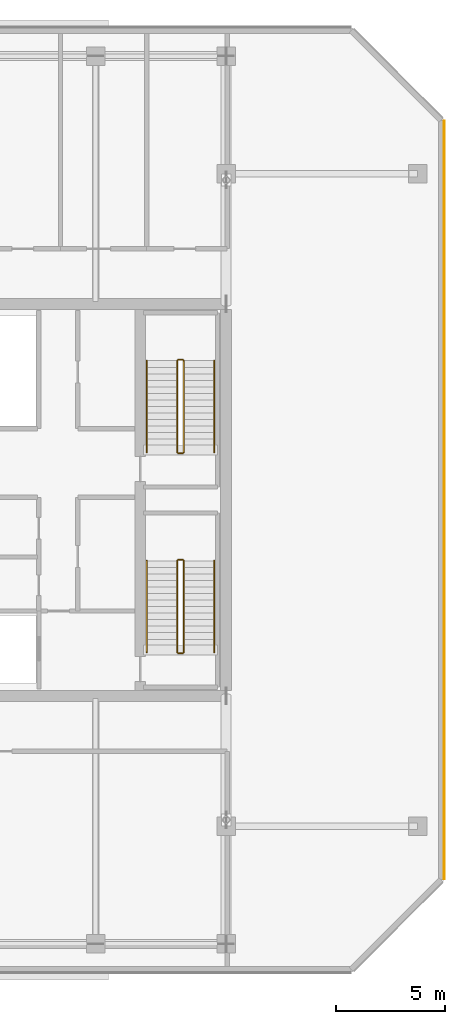
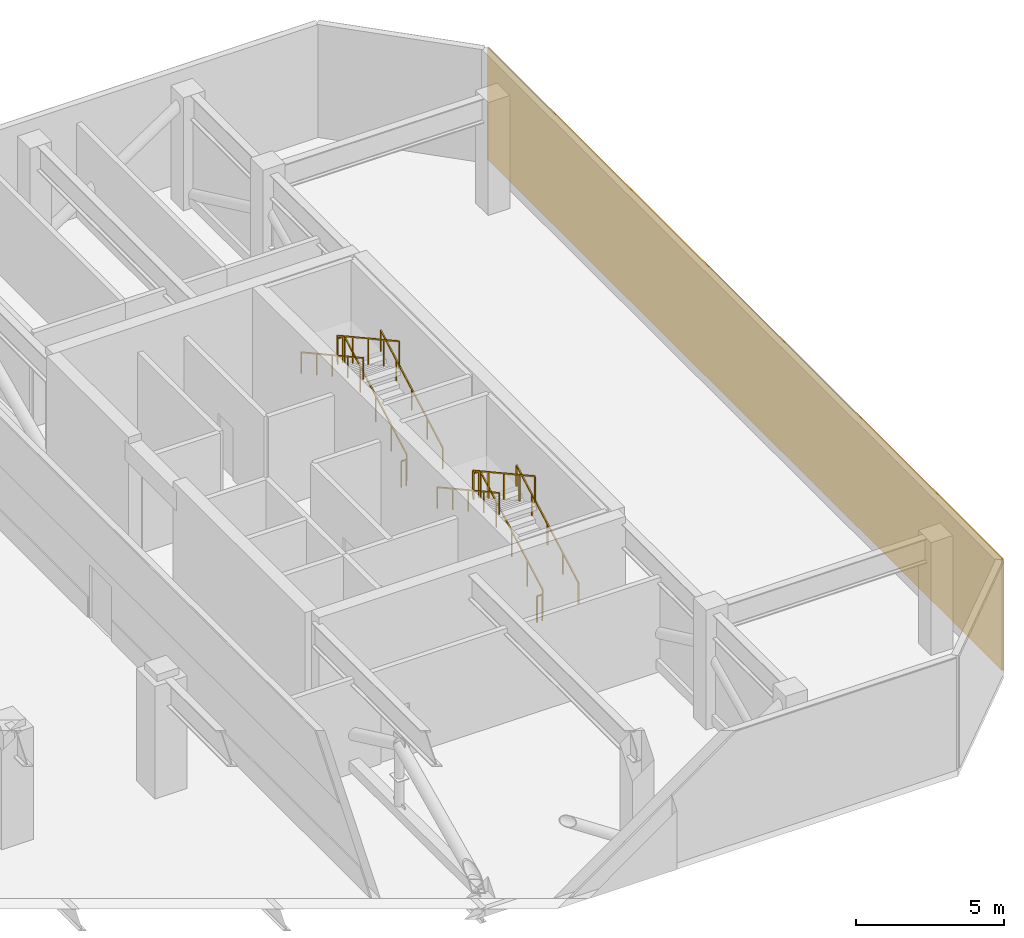
# One storey, part 17 of 18: 12 railings, 1 covering.
"""IFC4 building model written with IfcOpenShell, lengths in metres."""

from ifc_helpers import new_model, si_unit, direction, frame, origin, origin_2d, place, context, subcontext, project, spatial, rectangle, extrude, material, layer, layer_set, type_object, element, save


model = new_model("IFC4")

# Units and contexts
model_context = context("Model", 3, precision=1e-05, world=origin(), true_north=direction((0.0, 1.0)))
body_context = subcontext(model_context, "Body", "Model", "MODEL_VIEW")
ifc_project = project(units=[si_unit("LENGTHUNIT", "METRE"), si_unit("AREAUNIT", "SQUARE_METRE"), si_unit("VOLUMEUNIT", "CUBIC_METRE"), si_unit("PLANEANGLEUNIT", "RADIAN"), si_unit("MASSUNIT", "GRAM", prefix="KILO")], contexts=[model_context])

# Site, building, storey
site_placement = place(None, origin())
site = spatial("IfcSite", under=ifc_project, at=site_placement, CompositionType="ELEMENT")
building_placement = place(site_placement, origin())
building = spatial("IfcBuilding", under=site, at=building_placement, Name="Tanjung Sevakor Pilgrim Tower", CompositionType="ELEMENT")
storey_placement = place(building_placement, frame((0.0, 0.0, 172.919921875)))
storey = spatial("IfcBuildingStorey", under=building, at=storey_placement, Name="L48", CompositionType="ELEMENT", Elevation=172.919921875)

# Covering
ifc_material_1 = material(Name="Reconstructed Limestone Cladding", Category="masonry")
ifc_layer = layer(ifc_material_1, 0.044921875)
ifc_layer_set = layer_set([ifc_layer], Name="COV-CLAD-LIMESTONE")
covering_type = type_object("IfcCoveringType", Name="COV-CLAD-LIMESTONE", PredefinedType="CLADDING", material=ifc_layer_set)
covering_placement = place(storey_placement, frame((100.0224609375, 33.60009765625, 0.02001953125), z_axis=(0.0, 0.0, 1.0), x_axis=(0.0, 1.0, 0.0)))
element("IfcCovering", 1, at=covering_placement, inside=storey, type_object=covering_type, Name="L48 Warm Limestone Wall Cladding EW-RFE-L48-3", PredefinedType="CLADDING", context=body_context, shape_type="SweptSolid", body=[
    extrude(rectangle(XDim=34.8564453125, YDim=0.044921875, at=origin_2d()), origin(), (0.0, 0.0, 1.0), 4.6298828125),
])

# Railings
ifc_material_2 = material(Name="Steel S355J2", Category="steel")
railing_type_1 = type_object("IfcRailingType", Name="RL-STAIR-GUARD", PredefinedType="GUARDRAIL", material=ifc_material_2)
railing_1_placement = place(storey_placement, frame((88.050048828125, 26.60009765625, 0.1650390625)))
element("IfcRailing", 2, at=railing_1_placement, inside=storey, type_object=railing_type_1, Name="L48 TS-E1 stair guard 1", PredefinedType="GUARDRAIL", context=body_context, shape_type="SweptSolid", body=[
    extrude(rectangle(XDim=0.0479, YDim=0.0479), frame((0.0, 0.0, 1.076171875), z_axis=(0.0, 0.876208380975, 0.481932436249), x_axis=(-1.0, 0.0, 0.0)), (0.0, 0.0, 1.0), 4.793212890625),
    extrude(rectangle(XDim=0.042, YDim=0.042), origin(), (0.0, 0.0, 1.0), 1.052001953125),
    extrude(rectangle(XDim=0.042, YDim=0.042), frame((0.0, 1.050048828125, 0.57763671875)), (0.0, 0.0, 1.0), 1.052001953125),
    extrude(rectangle(XDim=0.042, YDim=0.042), frame((0.0, 2.10009765625, 1.155029296875)), (0.0, 0.0, 1.0), 1.052001953125),
    extrude(rectangle(XDim=0.042, YDim=0.042), frame((0.0, 3.14990234375, 1.732421875)), (0.0, 0.0, 1.0), 1.052001953125),
    extrude(rectangle(XDim=0.042, YDim=0.042), frame((0.0, 4.199951171875, 2.31005859375)), (0.0, 0.0, 1.0), 1.052001953125),
])
railing_2_placement = place(storey_placement, frame((88.0, 30.85009765625, 2.47509765625)))
element("IfcRailing", 3, at=railing_2_placement, inside=storey, type_object=railing_type_1, Name="L48 TS-E1 stair guard 2", PredefinedType="GUARDRAIL", context=body_context, shape_type="SweptSolid", body=[
    extrude(rectangle(XDim=0.0479, YDim=0.0479), frame((0.0, 0.0, 1.076171875), z_axis=(-1.0, 0.0, 0.0), x_axis=(0.0, -1.0, 0.0)), (0.0, 0.0, 1.0), 0.199951171875),
    extrude(rectangle(XDim=0.042, YDim=0.042), origin(), (0.0, 0.0, 1.0), 1.052001953125),
    extrude(rectangle(XDim=0.042, YDim=0.042), frame((-0.199951171875, 0.0, 0.0)), (0.0, 0.0, 1.0), 1.052001953125),
])
railing_3_placement = place(storey_placement, frame((87.75, 30.800048828125, 2.64013671875)))
element("IfcRailing", 4, at=railing_3_placement, inside=storey, type_object=railing_type_1, Name="L48 TS-E1 stair guard 3", PredefinedType="GUARDRAIL", context=body_context, shape_type="SweptSolid", body=[
    extrude(rectangle(XDim=0.0479, YDim=0.0479), frame((0.0, 0.0, 1.076171875), z_axis=(0.0, -0.876208380975, 0.481932436249), x_axis=(1.0, 0.0, 0.0)), (0.0, 0.0, 1.0), 4.793212890625),
    extrude(rectangle(XDim=0.042, YDim=0.042), origin(), (0.0, 0.0, 1.0), 1.052001953125),
    extrude(rectangle(XDim=0.042, YDim=0.042), frame((0.0, -1.050048828125, 0.57763671875)), (0.0, 0.0, 1.0), 1.052001953125),
    extrude(rectangle(XDim=0.042, YDim=0.042), frame((0.0, -2.10009765625, 1.155029296875)), (0.0, 0.0, 1.0), 1.052001953125),
    extrude(rectangle(XDim=0.042, YDim=0.042), frame((0.0, -3.14990234375, 1.732421875)), (0.0, 0.0, 1.0), 1.052001953125),
    extrude(rectangle(XDim=0.042, YDim=0.042), frame((0.0, -4.199951171875, 2.31005859375)), (0.0, 0.0, 1.0), 1.052001953125),
])
railing_4_placement = place(storey_placement, frame((88.0, 26.550048828125, 0.0)))
element("IfcRailing", 5, at=railing_4_placement, inside=storey, type_object=railing_type_1, Name="L48 TS-E1 stair guard 4", PredefinedType="GUARDRAIL", context=body_context, shape_type="SweptSolid", body=[
    extrude(rectangle(XDim=0.0479, YDim=0.0479), frame((0.0, 0.0, 1.076171875), z_axis=(-1.0, 0.0, 0.0), x_axis=(0.0, -1.0, 0.0)), (0.0, 0.0, 1.0), 0.199951171875),
    extrude(rectangle(XDim=0.042, YDim=0.042), origin(), (0.0, 0.0, 1.0), 1.052001953125),
    extrude(rectangle(XDim=0.042, YDim=0.042), frame((-0.199951171875, 0.0, 0.0)), (0.0, 0.0, 1.0), 1.052001953125),
])
railing_5_placement = place(storey_placement, frame((88.050048828125, 35.800048828125, 0.1650390625)))
element("IfcRailing", 6, at=railing_5_placement, inside=storey, type_object=railing_type_1, Name="L48 TS-E2 stair guard 1", PredefinedType="GUARDRAIL", context=body_context, shape_type="SweptSolid", body=[
    extrude(rectangle(XDim=0.0479, YDim=0.0479), frame((0.0, 0.0, 1.076171875), z_axis=(0.0, 0.876208380975, 0.481932436249), x_axis=(-1.0, 0.0, 0.0)), (0.0, 0.0, 1.0), 4.793212890625),
    extrude(rectangle(XDim=0.042, YDim=0.042), origin(), (0.0, 0.0, 1.0), 1.052001953125),
    extrude(rectangle(XDim=0.042, YDim=0.042), frame((0.0, 1.050048828125, 0.57763671875)), (0.0, 0.0, 1.0), 1.052001953125),
    extrude(rectangle(XDim=0.042, YDim=0.042), frame((0.0, 2.10009765625, 1.155029296875)), (0.0, 0.0, 1.0), 1.052001953125),
    extrude(rectangle(XDim=0.042, YDim=0.042), frame((0.0, 3.14990234375, 1.732421875)), (0.0, 0.0, 1.0), 1.052001953125),
    extrude(rectangle(XDim=0.042, YDim=0.042), frame((0.0, 4.199951171875, 2.31005859375)), (0.0, 0.0, 1.0), 1.052001953125),
])
railing_6_placement = place(storey_placement, frame((88.0, 40.050048828125, 2.47509765625)))
element("IfcRailing", 7, at=railing_6_placement, inside=storey, type_object=railing_type_1, Name="L48 TS-E2 stair guard 2", PredefinedType="GUARDRAIL", context=body_context, shape_type="SweptSolid", body=[
    extrude(rectangle(XDim=0.0479, YDim=0.0479), frame((0.0, 0.0, 1.076171875), z_axis=(-1.0, 0.0, 0.0), x_axis=(0.0, -1.0, 0.0)), (0.0, 0.0, 1.0), 0.199951171875),
    extrude(rectangle(XDim=0.042, YDim=0.042), origin(), (0.0, 0.0, 1.0), 1.052001953125),
    extrude(rectangle(XDim=0.042, YDim=0.042), frame((-0.199951171875, 0.0, 0.0)), (0.0, 0.0, 1.0), 1.052001953125),
])
railing_7_placement = place(storey_placement, frame((87.75, 40.0, 2.64013671875)))
element("IfcRailing", 8, at=railing_7_placement, inside=storey, type_object=railing_type_1, Name="L48 TS-E2 stair guard 3", PredefinedType="GUARDRAIL", context=body_context, shape_type="SweptSolid", body=[
    extrude(rectangle(XDim=0.0479, YDim=0.0479), frame((0.0, 0.0, 1.076171875), z_axis=(0.0, -0.876208380975, 0.481932436249), x_axis=(1.0, 0.0, 0.0)), (0.0, 0.0, 1.0), 4.793212890625),
    extrude(rectangle(XDim=0.042, YDim=0.042), origin(), (0.0, 0.0, 1.0), 1.052001953125),
    extrude(rectangle(XDim=0.042, YDim=0.042), frame((0.0, -1.050048828125, 0.57763671875)), (0.0, 0.0, 1.0), 1.052001953125),
    extrude(rectangle(XDim=0.042, YDim=0.042), frame((0.0, -2.10009765625, 1.155029296875)), (0.0, 0.0, 1.0), 1.052001953125),
    extrude(rectangle(XDim=0.042, YDim=0.042), frame((0.0, -3.14990234375, 1.732421875)), (0.0, 0.0, 1.0), 1.052001953125),
    extrude(rectangle(XDim=0.042, YDim=0.042), frame((0.0, -4.199951171875, 2.31005859375)), (0.0, 0.0, 1.0), 1.052001953125),
])
railing_8_placement = place(storey_placement, frame((88.0, 35.75, 0.0)))
element("IfcRailing", 9, at=railing_8_placement, inside=storey, type_object=railing_type_1, Name="L48 TS-E2 stair guard 4", PredefinedType="GUARDRAIL", context=body_context, shape_type="SweptSolid", body=[
    extrude(rectangle(XDim=0.0479, YDim=0.0479), frame((0.0, 0.0, 1.076171875), z_axis=(-1.0, 0.0, 0.0), x_axis=(0.0, -1.0, 0.0)), (0.0, 0.0, 1.0), 0.199951171875),
    extrude(rectangle(XDim=0.042, YDim=0.042), origin(), (0.0, 0.0, 1.0), 1.052001953125),
    extrude(rectangle(XDim=0.042, YDim=0.042), frame((-0.199951171875, 0.0, 0.0)), (0.0, 0.0, 1.0), 1.052001953125),
])
ifc_material_3 = material(Name="Steel S355J2", Category="steel")
railing_type_2 = type_object("IfcRailingType", Name="RL-STAIR-HAND", PredefinedType="HANDRAIL", material=ifc_material_3)
railing_9_placement = place(storey_placement, frame((89.449951171875, 26.60009765625, 0.1650390625)))
element("IfcRailing", 10, at=railing_9_placement, inside=storey, type_object=railing_type_2, Name="L48 TS-E1 stair handrail 1", PredefinedType="HANDRAIL", context=body_context, shape_type="SweptSolid", body=[
    extrude(rectangle(XDim=0.0479, YDim=0.0479), frame((0.0, 0.0, 0.8759765625), z_axis=(0.0, 0.876208380975, 0.481932436249), x_axis=(-1.0, 0.0, 0.0)), (0.0, 0.0, 1.0), 4.793212890625),
    extrude(rectangle(XDim=0.042, YDim=0.042), origin(), (0.0, 0.0, 1.0), 0.851806640625),
    extrude(rectangle(XDim=0.042, YDim=0.042), frame((0.0, 1.050048828125, 0.57763671875)), (0.0, 0.0, 1.0), 0.851806640625),
    extrude(rectangle(XDim=0.042, YDim=0.042), frame((0.0, 2.10009765625, 1.155029296875)), (0.0, 0.0, 1.0), 0.851806640625),
    extrude(rectangle(XDim=0.042, YDim=0.042), frame((0.0, 3.14990234375, 1.732421875)), (0.0, 0.0, 1.0), 0.851806640625),
    extrude(rectangle(XDim=0.042, YDim=0.042), frame((0.0, 4.199951171875, 2.31005859375)), (0.0, 0.0, 1.0), 0.851806640625),
])
railing_10_placement = place(storey_placement, frame((86.35009765625, 30.800048828125, 2.64013671875)))
element("IfcRailing", 11, at=railing_10_placement, inside=storey, type_object=railing_type_2, Name="L48 TS-E1 stair handrail 2", PredefinedType="HANDRAIL", context=body_context, shape_type="SweptSolid", body=[
    extrude(rectangle(XDim=0.0479, YDim=0.0479), frame((0.0, 0.0, 0.8759765625), z_axis=(0.0, -0.876208380975, 0.481932436249), x_axis=(1.0, 0.0, 0.0)), (0.0, 0.0, 1.0), 4.793212890625),
    extrude(rectangle(XDim=0.042, YDim=0.042), origin(), (0.0, 0.0, 1.0), 0.851806640625),
    extrude(rectangle(XDim=0.042, YDim=0.042), frame((0.0, -1.050048828125, 0.57763671875)), (0.0, 0.0, 1.0), 0.851806640625),
    extrude(rectangle(XDim=0.042, YDim=0.042), frame((0.0, -2.10009765625, 1.155029296875)), (0.0, 0.0, 1.0), 0.851806640625),
    extrude(rectangle(XDim=0.042, YDim=0.042), frame((0.0, -3.14990234375, 1.732421875)), (0.0, 0.0, 1.0), 0.851806640625),
    extrude(rectangle(XDim=0.042, YDim=0.042), frame((0.0, -4.199951171875, 2.31005859375)), (0.0, 0.0, 1.0), 0.851806640625),
])
railing_11_placement = place(storey_placement, frame((89.449951171875, 35.800048828125, 0.1650390625)))
element("IfcRailing", 12, at=railing_11_placement, inside=storey, type_object=railing_type_2, Name="L48 TS-E2 stair handrail 1", PredefinedType="HANDRAIL", context=body_context, shape_type="SweptSolid", body=[
    extrude(rectangle(XDim=0.0479, YDim=0.0479), frame((0.0, 0.0, 0.8759765625), z_axis=(0.0, 0.876208380975, 0.481932436249), x_axis=(-1.0, 0.0, 0.0)), (0.0, 0.0, 1.0), 4.793212890625),
    extrude(rectangle(XDim=0.042, YDim=0.042), origin(), (0.0, 0.0, 1.0), 0.851806640625),
    extrude(rectangle(XDim=0.042, YDim=0.042), frame((0.0, 1.050048828125, 0.57763671875)), (0.0, 0.0, 1.0), 0.851806640625),
    extrude(rectangle(XDim=0.042, YDim=0.042), frame((0.0, 2.10009765625, 1.155029296875)), (0.0, 0.0, 1.0), 0.851806640625),
    extrude(rectangle(XDim=0.042, YDim=0.042), frame((0.0, 3.14990234375, 1.732421875)), (0.0, 0.0, 1.0), 0.851806640625),
    extrude(rectangle(XDim=0.042, YDim=0.042), frame((0.0, 4.199951171875, 2.31005859375)), (0.0, 0.0, 1.0), 0.851806640625),
])
railing_12_placement = place(storey_placement, frame((86.35009765625, 40.0, 2.64013671875)))
element("IfcRailing", 13, at=railing_12_placement, inside=storey, type_object=railing_type_2, Name="L48 TS-E2 stair handrail 2", PredefinedType="HANDRAIL", context=body_context, shape_type="SweptSolid", body=[
    extrude(rectangle(XDim=0.0479, YDim=0.0479), frame((0.0, 0.0, 0.8759765625), z_axis=(0.0, -0.876208380975, 0.481932436249), x_axis=(1.0, 0.0, 0.0)), (0.0, 0.0, 1.0), 4.793212890625),
    extrude(rectangle(XDim=0.042, YDim=0.042), origin(), (0.0, 0.0, 1.0), 0.851806640625),
    extrude(rectangle(XDim=0.042, YDim=0.042), frame((0.0, -1.050048828125, 0.57763671875)), (0.0, 0.0, 1.0), 0.851806640625),
    extrude(rectangle(XDim=0.042, YDim=0.042), frame((0.0, -2.10009765625, 1.155029296875)), (0.0, 0.0, 1.0), 0.851806640625),
    extrude(rectangle(XDim=0.042, YDim=0.042), frame((0.0, -3.14990234375, 1.732421875)), (0.0, 0.0, 1.0), 0.851806640625),
    extrude(rectangle(XDim=0.042, YDim=0.042), frame((0.0, -4.199951171875, 2.31005859375)), (0.0, 0.0, 1.0), 0.851806640625),
])

save(model, "model.ifc")
